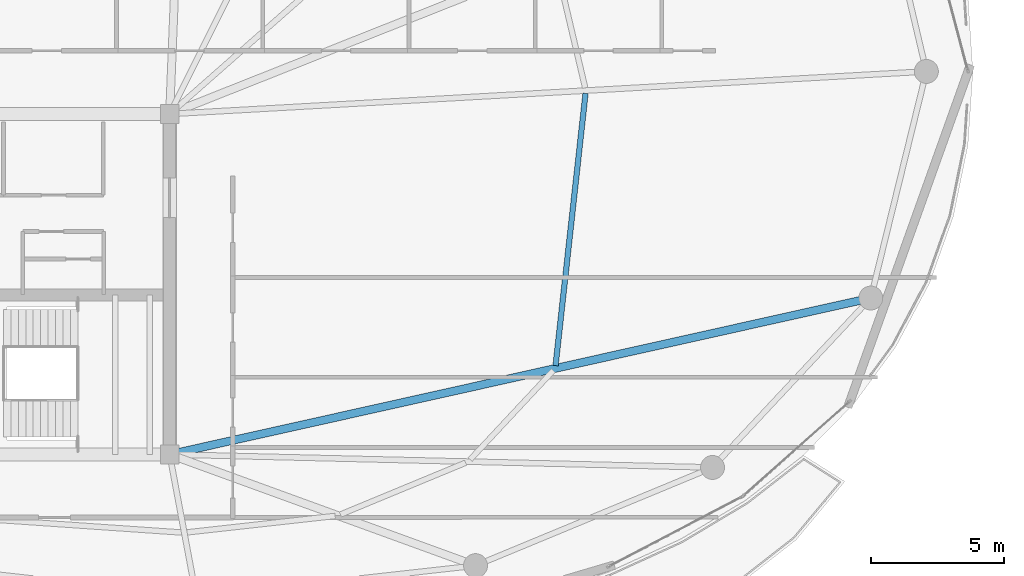
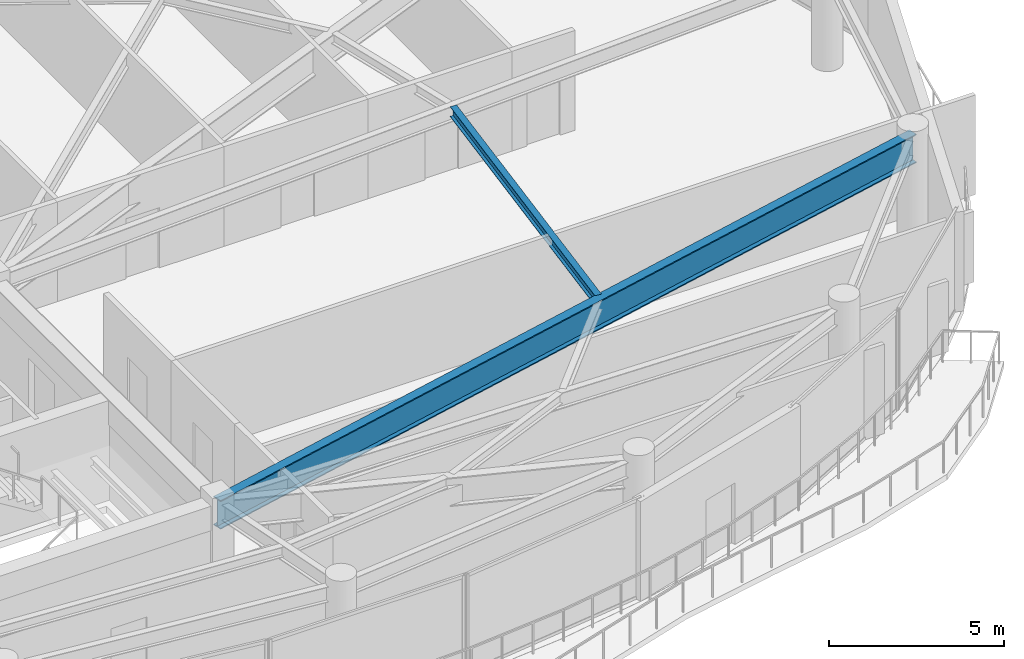
# One storey, part 14 of 29: 2 beams.
"""IFC4 building model written with IfcOpenShell, lengths in metres."""

import ifcopenshell
import ifcopenshell.guid

model = None  # the IFC model being written
_history = None  # IfcOwnerHistory: only IFC2X3 demands one
_inside = {}  # id of a spatial element -> (the spatial element, [elements in it])
_under = {}  # id of a project, library or spatial element -> (it, [spatial elements below it])
_declared = {}  # id of a project -> (the project, [libraries it declares])
_typed = {}  # id of a type object -> (the type object, [elements of that type])
_made_of = {}  # id of a material, layer set ... -> (it, [elements and type objects made of it])


def new_model(schema):
    """Start an empty IFC model of exactly this schema.

    Asked for "IFC4X3", IfcOpenShell would pick the latest addendum, in which some entities
    have other attributes; the version numbers below select the first issue.
    IFC2X3 requires an IfcOwnerHistory on every rooted entity: one is made here for all.
    """
    global model, _history
    if schema == "IFC4X3":
        model = ifcopenshell.file(schema_version=(4, 3, 0, 0))
    else:
        model = ifcopenshell.file(schema=schema)
    _inside.clear()
    _under.clear()
    _declared.clear()
    _typed.clear()
    _made_of.clear()
    _history = None
    if model.schema == "IFC2X3":
        org = make("IfcOrganization", Name="unknown")
        user = make(
            "IfcPersonAndOrganization",
            ThePerson=make("IfcPerson", FamilyName="unknown"),
            TheOrganization=org,
        )
        app = make(
            "IfcApplication",
            ApplicationDeveloper=org,
            Version="unknown",
            ApplicationFullName="unknown",
            ApplicationIdentifier="unknown",
        )
        _history = make(
            "IfcOwnerHistory",
            OwningUser=user,
            OwningApplication=app,
            ChangeAction="ADDED",
            CreationDate=0,
        )
    return model


def make(cls, **values):
    """One entity of the class cls with the attributes given. An attribute that is None is left unset."""
    return model.create_entity(
        cls, **{name: value for name, value in values.items() if value is not None}
    )


def rooted(cls, **values):
    """An entity with a GlobalId (a new one), such as an element, a storey or a relation."""
    return make(cls, GlobalId=ifcopenshell.guid.new(), OwnerHistory=_history, **values)


def si_unit(unit_type, name, prefix=None):
    """IfcSIUnit, for example si_unit("LENGTHUNIT", "METRE", prefix="MILLI")."""
    return make("IfcSIUnit", UnitType=unit_type, Prefix=prefix, Name=name)


def assignment(units):
    """IfcUnitAssignment: the units of a project."""
    return None if units is None else make("IfcUnitAssignment", Units=units)


def point(xyz):
    """IfcCartesianPoint."""
    return None if xyz is None else make("IfcCartesianPoint", Coordinates=xyz)


def direction(xyz):
    """IfcDirection."""
    return None if xyz is None else make("IfcDirection", DirectionRatios=xyz)


def frame(location, z_axis=None, x_axis=None):
    """IfcAxis2Placement3D, a coordinate frame: its origin and axes. An axis left out is left unset."""
    return make(
        "IfcAxis2Placement3D",
        Location=point(location),
        Axis=direction(z_axis),
        RefDirection=direction(x_axis),
    )


def frame_2d(location, x_axis=None):
    """IfcAxis2Placement2D, a coordinate frame in the plane: its origin and x axis."""
    return make(
        "IfcAxis2Placement2D", Location=point(location), RefDirection=direction(x_axis)
    )


def origin():
    """The frame at (0, 0, 0) with its axes left unset."""
    return frame((0.0, 0.0, 0.0))


def origin_2d():
    """The frame at (0, 0) in the plane with its x axis left unset."""
    return frame_2d((0.0, 0.0))


def place(relative_to, where):
    """IfcLocalPlacement: puts the frame where relative to a parent placement (None: the world)."""
    return make(
        "IfcLocalPlacement", PlacementRelTo=relative_to, RelativePlacement=where
    )


def context(
    kind, dimensions, precision=None, world=None, true_north=None, identifier=None
):
    """IfcGeometricRepresentationContext, for example the 3D "Model" context."""
    return make(
        "IfcGeometricRepresentationContext",
        ContextIdentifier=identifier,
        ContextType=kind,
        CoordinateSpaceDimension=dimensions,
        Precision=precision,
        WorldCoordinateSystem=world,
        TrueNorth=true_north,
    )


def subcontext(parent, identifier, kind, view, scale=None):
    """IfcGeometricRepresentationSubContext, for example "Body" below "Model"."""
    return make(
        "IfcGeometricRepresentationSubContext",
        ContextIdentifier=identifier,
        ContextType=kind,
        ParentContext=parent,
        TargetScale=scale,
        TargetView=view,
    )


def project(units=None, contexts=None):
    """IfcProject with its units and contexts."""
    return rooted(
        "IfcProject",
        Name="project",
        RepresentationContexts=contexts,
        UnitsInContext=assignment(units),
    )


def spatial(cls, under=None, at=None, **own):
    """A site, building, storey or space (cls), placed at a placement, below another one or the project."""
    s = rooted(cls, ObjectPlacement=at, **own)
    if under is not None:
        _under.setdefault(under.id(), (under, []))[1].append(s)
    return s


def profile(cls, at=None, kind="AREA", **sizes):
    """A parametric profile (cls). Its sizes go by their IFC names, for example OverallWidth=200.0."""
    return make(cls, ProfileType=kind, Position=at, **sizes)


def i_section(**sizes):
    """IfcIShapeProfileDef."""
    return profile("IfcIShapeProfileDef", **sizes)


def extrude(swept, where, along, depth):
    """IfcExtrudedAreaSolid: the profile swept, set in the frame where, extruded along a direction by depth."""
    return make(
        "IfcExtrudedAreaSolid",
        SweptArea=swept,
        Position=where,
        ExtrudedDirection=direction(along),
        Depth=depth,
    )


def shape(context_of_items, identifier, shape_type, items):
    """IfcShapeRepresentation: the items that make up one representation, for example the "Body"."""
    return make(
        "IfcShapeRepresentation",
        ContextOfItems=context_of_items,
        RepresentationIdentifier=identifier,
        RepresentationType=shape_type,
        Items=items,
    )


def material(Name=None, Category=None):
    """IfcMaterial."""
    return make("IfcMaterial", Name=Name, Category=Category)


def material_profile(
    of_material, cross_section, Name=None, Category=None, Priority=None
):
    """IfcMaterialProfile: a cross section and its material."""
    return make(
        "IfcMaterialProfile",
        Name=Name,
        Material=of_material,
        Profile=cross_section,
        Priority=Priority,
        Category=Category,
    )


def profile_set(profiles, Name=None, composite=None):
    """IfcMaterialProfileSet."""
    return make(
        "IfcMaterialProfileSet",
        Name=Name,
        MaterialProfiles=profiles,
        CompositeProfile=composite,
    )


def made_of(thing, what):
    """Note that an element or type object is made of a material, layer set ...; save() writes the relation."""
    if what is not None:
        _made_of.setdefault(what.id(), (what, []))[1].append(thing)
    return thing


def type_object(cls, material=None, **own):
    """A type object (cls), such as IfcWallType, which elements share."""
    return made_of(rooted(cls, **own), material)


def element(
    cls,
    number,
    at=None,
    inside=None,
    cuts=None,
    type_object=None,
    material=None,
    context=None,
    identifier="Body",
    shape_type=None,
    held_by="IfcProductDefinitionShape",
    body=None,
    shapes=None,
    **own,
):
    """One element of the class cls, such as IfcWall. Its Tag is "e" and its number.

    at: its placement. inside: the storey or other place that contains it. cuts: it is an
    opening in that element (IfcRelVoidsElement). A single representation is given by context,
    identifier, shape_type and body (its items); several are given by shapes. held_by: the class
    of the entity that holds the representations. save() writes the other relations.
    """
    e = rooted(cls, Tag="e%d" % number, ObjectPlacement=at, **own)
    if body is not None:
        shapes = [shape(context, identifier, shape_type, body)]
    if shapes is not None:
        e.Representation = make(held_by, Representations=shapes)
    if inside is not None:
        _inside.setdefault(inside.id(), (inside, []))[1].append(e)
    if cuts is not None:
        rooted(
            "IfcRelVoidsElement", RelatingBuildingElement=cuts, RelatedOpeningElement=e
        )
    if type_object is not None:
        _typed.setdefault(type_object.id(), (type_object, []))[1].append(e)
    return made_of(e, material)


def aggregate(whole, parts):
    """IfcRelAggregates: a whole, such as a stair, and the parts it consists of."""
    return rooted("IfcRelAggregates", RelatingObject=whole, RelatedObjects=parts)


def save(model, path):
    """Write the relations noted so far, then the file.

    IfcRelAggregates (storeys below a building ...), IfcRelContainedInSpatialStructure (elements
    in a storey), IfcRelDefinesByType, IfcRelAssociatesMaterial and IfcRelDeclares: one each for
    every whole, place, type object, material and project.
    """
    for whole, parts in _under.values():
        aggregate(whole, parts)
    for where, things in _inside.values():
        rooted(
            "IfcRelContainedInSpatialStructure",
            RelatedElements=things,
            RelatingStructure=where,
        )
    for kind, things in _typed.values():
        rooted("IfcRelDefinesByType", RelatedObjects=things, RelatingType=kind)
    for what, things in _made_of.values():
        rooted("IfcRelAssociatesMaterial", RelatedObjects=things, RelatingMaterial=what)
    for by, libraries in _declared.values():
        rooted("IfcRelDeclares", RelatingContext=by, RelatedDefinitions=libraries)
    model.write(path)


model = new_model("IFC4")

# Units and contexts
model_context = context("Model", 3, precision=1e-05, world=origin(), true_north=direction((0.0, 1.0)))
body_context = subcontext(model_context, "Body", "Model", "MODEL_VIEW")
ifc_project = project(units=[si_unit("LENGTHUNIT", "METRE"), si_unit("AREAUNIT", "SQUARE_METRE"), si_unit("VOLUMEUNIT", "CUBIC_METRE"), si_unit("PLANEANGLEUNIT", "RADIAN"), si_unit("MASSUNIT", "GRAM", prefix="KILO")], contexts=[model_context])

# Site, building, storey
site_placement = place(None, origin())
site = spatial("IfcSite", under=ifc_project, at=site_placement, CompositionType="ELEMENT")
building_placement = place(site_placement, origin())
building = spatial("IfcBuilding", under=site, at=building_placement, Name="Kazevale Care Tower and Concert Hall", CompositionType="ELEMENT")
storey_placement = place(building_placement, frame((0.0, 0.0, 289.0)))
storey = spatial("IfcBuildingStorey", under=building, at=storey_placement, Name="L76", CompositionType="ELEMENT", Elevation=289.0)

# Beams
ifc_material = material(Name="Steel ASTM A572 Gr 50", Category="steel")
ifc_material_profile_1 = material_profile(ifc_material, i_section(OverallWidth=0.300048828125, OverallDepth=1.0, WebThickness=0.02099609375, FlangeThickness=0.035888671875, at=origin_2d()), Name="W1000x371")
ifc_profile_set_1 = profile_set([ifc_material_profile_1], Name="Steel ASTM A572 Gr 50")
beam_type_1 = type_object("IfcBeamType", Name="Crown Radial Girder W1000x371", PredefinedType="BEAM", material=ifc_profile_set_1)
beam_1_placement = place(storey_placement, frame((44.0, 23.60009765625, 2.97998046875), z_axis=(0.976013614534, 0.217709495072, 0.0), x_axis=(-0.217709495072, 0.976013614534, 0.0)))
element("IfcBeam", 1, at=beam_1_placement, inside=storey, type_object=beam_type_1, Name="beam:L76:crowntg:6", PredefinedType="BEAM", context=body_context, shape_type="SweptSolid", body=[
    extrude(i_section(OverallWidth=0.300048828125, OverallDepth=1.0, WebThickness=0.02099609375, FlangeThickness=0.035888671875, at=origin_2d()), origin(), (0.0, 0.0, 1.0), 27.0078125),
])
ifc_material_profile_2 = material_profile(ifc_material, i_section(OverallWidth=0.205078125, OverallDepth=0.35400390625, WebThickness=0.009521484375, FlangeThickness=0.016845703125, at=origin_2d()), Name="W360x79")
ifc_profile_set_2 = profile_set([ifc_material_profile_2], Name="Steel ASTM A572 Gr 50")
beam_type_2 = type_object("IfcBeamType", Name="Secondary Floor Joist W360x79", PredefinedType="JOIST", material=ifc_profile_set_2)
beam_2_placement = place(storey_placement, frame((58.509033203125, 26.93798828125, 3.302978515625), z_axis=(0.109414251474, 0.993996238209, 0.0), x_axis=(-0.993996238209, 0.109414251474, 0.0)))
element("IfcBeam", 2, at=beam_2_placement, inside=storey, type_object=beam_type_2, Name="beam:L76:joist:16", PredefinedType="JOIST", context=body_context, shape_type="SweptSolid", body=[
    extrude(i_section(OverallWidth=0.205078125, OverallDepth=0.35400390625, WebThickness=0.009521484375, FlangeThickness=0.016845703125, at=origin_2d()), origin(), (0.0, 0.0, 1.0), 10.2998046875),
])

save(model, "model.ifc")
